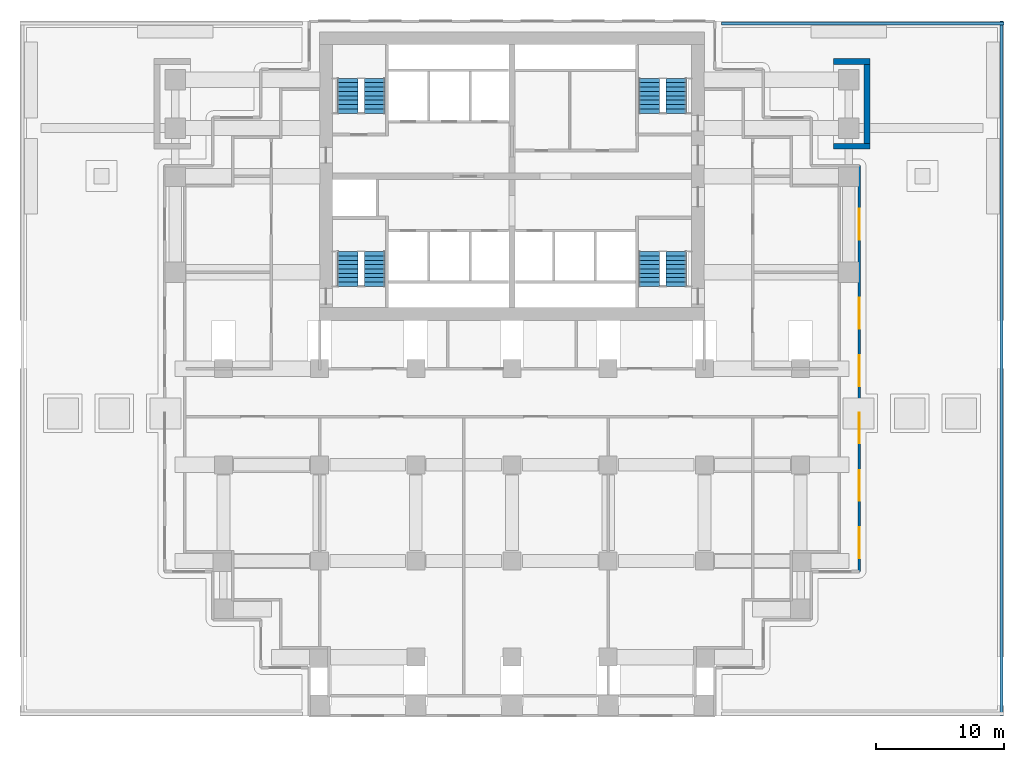
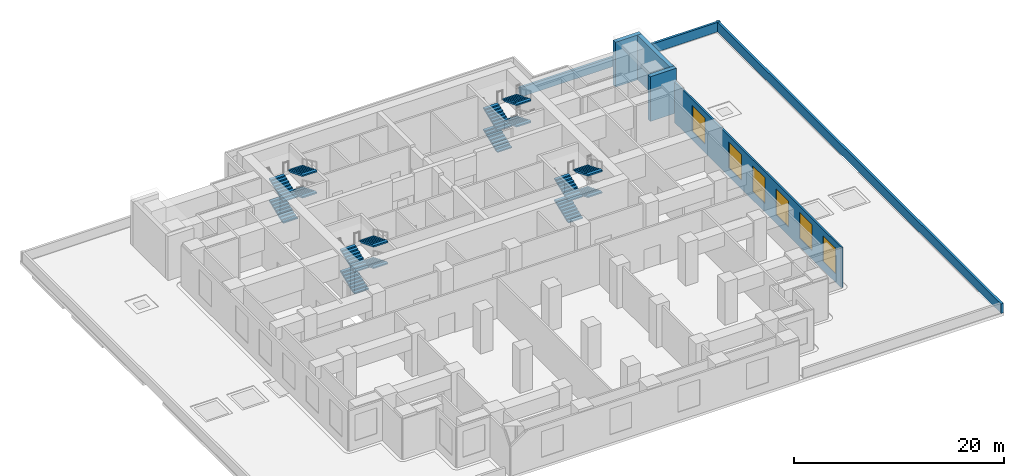
# One storey, part 6 of 9: 16 stair flights, 6 walls, 6 windows, 6 openings, 4 elements without a shape of their own.
"""IFC4 building model written with IfcOpenShell, lengths in metres."""

import ifcopenshell
import ifcopenshell.guid

model = None  # the IFC model being written
_history = None  # IfcOwnerHistory: only IFC2X3 demands one
_inside = {}  # id of a spatial element -> (the spatial element, [elements in it])
_under = {}  # id of a project, library or spatial element -> (it, [spatial elements below it])
_declared = {}  # id of a project -> (the project, [libraries it declares])
_typed = {}  # id of a type object -> (the type object, [elements of that type])
_made_of = {}  # id of a material, layer set ... -> (it, [elements and type objects made of it])


def new_model(schema):
    """Start an empty IFC model of exactly this schema.

    Asked for "IFC4X3", IfcOpenShell would pick the latest addendum, in which some entities
    have other attributes; the version numbers below select the first issue.
    IFC2X3 requires an IfcOwnerHistory on every rooted entity: one is made here for all.
    """
    global model, _history
    if schema == "IFC4X3":
        model = ifcopenshell.file(schema_version=(4, 3, 0, 0))
    else:
        model = ifcopenshell.file(schema=schema)
    _inside.clear()
    _under.clear()
    _declared.clear()
    _typed.clear()
    _made_of.clear()
    _history = None
    if model.schema == "IFC2X3":
        org = make("IfcOrganization", Name="unknown")
        user = make(
            "IfcPersonAndOrganization",
            ThePerson=make("IfcPerson", FamilyName="unknown"),
            TheOrganization=org,
        )
        app = make(
            "IfcApplication",
            ApplicationDeveloper=org,
            Version="unknown",
            ApplicationFullName="unknown",
            ApplicationIdentifier="unknown",
        )
        _history = make(
            "IfcOwnerHistory",
            OwningUser=user,
            OwningApplication=app,
            ChangeAction="ADDED",
            CreationDate=0,
        )
    return model


def make(cls, **values):
    """One entity of the class cls with the attributes given. An attribute that is None is left unset."""
    return model.create_entity(
        cls, **{name: value for name, value in values.items() if value is not None}
    )


def rooted(cls, **values):
    """An entity with a GlobalId (a new one), such as an element, a storey or a relation."""
    return make(cls, GlobalId=ifcopenshell.guid.new(), OwnerHistory=_history, **values)


def si_unit(unit_type, name, prefix=None):
    """IfcSIUnit, for example si_unit("LENGTHUNIT", "METRE", prefix="MILLI")."""
    return make("IfcSIUnit", UnitType=unit_type, Prefix=prefix, Name=name)


def assignment(units):
    """IfcUnitAssignment: the units of a project."""
    return None if units is None else make("IfcUnitAssignment", Units=units)


def point(xyz):
    """IfcCartesianPoint."""
    return None if xyz is None else make("IfcCartesianPoint", Coordinates=xyz)


def direction(xyz):
    """IfcDirection."""
    return None if xyz is None else make("IfcDirection", DirectionRatios=xyz)


def frame(location, z_axis=None, x_axis=None):
    """IfcAxis2Placement3D, a coordinate frame: its origin and axes. An axis left out is left unset."""
    return make(
        "IfcAxis2Placement3D",
        Location=point(location),
        Axis=direction(z_axis),
        RefDirection=direction(x_axis),
    )


def frame_2d(location, x_axis=None):
    """IfcAxis2Placement2D, a coordinate frame in the plane: its origin and x axis."""
    return make(
        "IfcAxis2Placement2D", Location=point(location), RefDirection=direction(x_axis)
    )


def origin():
    """The frame at (0, 0, 0) with its axes left unset."""
    return frame((0.0, 0.0, 0.0))


def place(relative_to, where):
    """IfcLocalPlacement: puts the frame where relative to a parent placement (None: the world)."""
    return make(
        "IfcLocalPlacement", PlacementRelTo=relative_to, RelativePlacement=where
    )


def context(
    kind, dimensions, precision=None, world=None, true_north=None, identifier=None
):
    """IfcGeometricRepresentationContext, for example the 3D "Model" context."""
    return make(
        "IfcGeometricRepresentationContext",
        ContextIdentifier=identifier,
        ContextType=kind,
        CoordinateSpaceDimension=dimensions,
        Precision=precision,
        WorldCoordinateSystem=world,
        TrueNorth=true_north,
    )


def subcontext(parent, identifier, kind, view, scale=None):
    """IfcGeometricRepresentationSubContext, for example "Body" below "Model"."""
    return make(
        "IfcGeometricRepresentationSubContext",
        ContextIdentifier=identifier,
        ContextType=kind,
        ParentContext=parent,
        TargetScale=scale,
        TargetView=view,
    )


def project(units=None, contexts=None):
    """IfcProject with its units and contexts."""
    return rooted(
        "IfcProject",
        Name="project",
        RepresentationContexts=contexts,
        UnitsInContext=assignment(units),
    )


def spatial(cls, under=None, at=None, **own):
    """A site, building, storey or space (cls), placed at a placement, below another one or the project."""
    s = rooted(cls, ObjectPlacement=at, **own)
    if under is not None:
        _under.setdefault(under.id(), (under, []))[1].append(s)
    return s


def polyline(points):
    """IfcPolyline through the points."""
    return make("IfcPolyline", Points=[point(p) for p in points])


def profile(cls, at=None, kind="AREA", **sizes):
    """A parametric profile (cls). Its sizes go by their IFC names, for example OverallWidth=200.0."""
    return make(cls, ProfileType=kind, Position=at, **sizes)


def rectangle(**sizes):
    """IfcRectangleProfileDef."""
    return profile("IfcRectangleProfileDef", **sizes)


def outline(outer, holes=None, kind="AREA"):
    """IfcArbitraryClosedProfileDef: a profile drawn as a closed curve; with holes, ...WithVoids."""
    if holes is None:
        return make("IfcArbitraryClosedProfileDef", ProfileType=kind, OuterCurve=outer)
    return make(
        "IfcArbitraryProfileDefWithVoids",
        ProfileType=kind,
        OuterCurve=outer,
        InnerCurves=holes,
    )


def extrude(swept, where, along, depth):
    """IfcExtrudedAreaSolid: the profile swept, set in the frame where, extruded along a direction by depth."""
    return make(
        "IfcExtrudedAreaSolid",
        SweptArea=swept,
        Position=where,
        ExtrudedDirection=direction(along),
        Depth=depth,
    )


def shape(context_of_items, identifier, shape_type, items):
    """IfcShapeRepresentation: the items that make up one representation, for example the "Body"."""
    return make(
        "IfcShapeRepresentation",
        ContextOfItems=context_of_items,
        RepresentationIdentifier=identifier,
        RepresentationType=shape_type,
        Items=items,
    )


def material(Name=None, Category=None):
    """IfcMaterial."""
    return make("IfcMaterial", Name=Name, Category=Category)


def layer(
    of_material, thickness, ventilated=None, Name=None, Category=None, Priority=None
):
    """IfcMaterialLayer: one layer of a wall or slab, of a material (None: an air gap)."""
    return make(
        "IfcMaterialLayer",
        Material=of_material,
        LayerThickness=thickness,
        IsVentilated=ventilated,
        Name=Name,
        Category=Category,
        Priority=Priority,
    )


def layer_set(layers, Name=None):
    """IfcMaterialLayerSet."""
    return make("IfcMaterialLayerSet", MaterialLayers=layers, LayerSetName=Name)


def made_of(thing, what):
    """Note that an element or type object is made of a material, layer set ...; save() writes the relation."""
    if what is not None:
        _made_of.setdefault(what.id(), (what, []))[1].append(thing)
    return thing


def type_object(cls, material=None, **own):
    """A type object (cls), such as IfcWallType, which elements share."""
    return made_of(rooted(cls, **own), material)


def element(
    cls,
    number,
    at=None,
    inside=None,
    cuts=None,
    type_object=None,
    material=None,
    context=None,
    identifier="Body",
    shape_type=None,
    held_by="IfcProductDefinitionShape",
    body=None,
    shapes=None,
    **own,
):
    """One element of the class cls, such as IfcWall. Its Tag is "e" and its number.

    at: its placement. inside: the storey or other place that contains it. cuts: it is an
    opening in that element (IfcRelVoidsElement). A single representation is given by context,
    identifier, shape_type and body (its items); several are given by shapes. held_by: the class
    of the entity that holds the representations. save() writes the other relations.
    """
    e = rooted(cls, Tag="e%d" % number, ObjectPlacement=at, **own)
    if body is not None:
        shapes = [shape(context, identifier, shape_type, body)]
    if shapes is not None:
        e.Representation = make(held_by, Representations=shapes)
    if inside is not None:
        _inside.setdefault(inside.id(), (inside, []))[1].append(e)
    if cuts is not None:
        rooted(
            "IfcRelVoidsElement", RelatingBuildingElement=cuts, RelatedOpeningElement=e
        )
    if type_object is not None:
        _typed.setdefault(type_object.id(), (type_object, []))[1].append(e)
    return made_of(e, material)


def fill(opening, filler):
    """IfcRelFillsElement: the door or window that sits in an opening."""
    return rooted(
        "IfcRelFillsElement",
        RelatingOpeningElement=opening,
        RelatedBuildingElement=filler,
    )


def aggregate(whole, parts):
    """IfcRelAggregates: a whole, such as a stair, and the parts it consists of."""
    return rooted("IfcRelAggregates", RelatingObject=whole, RelatedObjects=parts)


def save(model, path):
    """Write the relations noted so far, then the file.

    IfcRelAggregates (storeys below a building ...), IfcRelContainedInSpatialStructure (elements
    in a storey), IfcRelDefinesByType, IfcRelAssociatesMaterial and IfcRelDeclares: one each for
    every whole, place, type object, material and project.
    """
    for whole, parts in _under.values():
        aggregate(whole, parts)
    for where, things in _inside.values():
        rooted(
            "IfcRelContainedInSpatialStructure",
            RelatedElements=things,
            RelatingStructure=where,
        )
    for kind, things in _typed.values():
        rooted("IfcRelDefinesByType", RelatedObjects=things, RelatingType=kind)
    for what, things in _made_of.values():
        rooted("IfcRelAssociatesMaterial", RelatedObjects=things, RelatingMaterial=what)
    for by, libraries in _declared.values():
        rooted("IfcRelDeclares", RelatingContext=by, RelatedDefinitions=libraries)
    model.write(path)


model = new_model("IFC4")

# Units and contexts
model_context = context("Model", 3, precision=1e-05, world=origin(), true_north=direction((0.0, 1.0)))
body_context = subcontext(model_context, "Body", "Model", "MODEL_VIEW")
ifc_project = project(units=[si_unit("LENGTHUNIT", "METRE"), si_unit("AREAUNIT", "SQUARE_METRE"), si_unit("VOLUMEUNIT", "CUBIC_METRE"), si_unit("PLANEANGLEUNIT", "RADIAN"), si_unit("MASSUNIT", "GRAM", prefix="KILO")], contexts=[model_context])

# Site, building, storey
site_placement = place(None, origin())
site = spatial("IfcSite", under=ifc_project, at=site_placement, CompositionType="ELEMENT")
building_placement = place(site_placement, origin())
building = spatial("IfcBuilding", under=site, at=building_placement, Name="Pilkhan Gate Tower", CompositionType="ELEMENT")
storey_placement = place(building_placement, frame((0.0, 0.0, 30.0)))
storey = spatial("IfcBuildingStorey", under=building, at=storey_placement, Name="L04", CompositionType="ELEMENT", Elevation=30.0)

# Walls
ifc_material_1 = material(Name="Concrete C40/50", Category="concrete")
ifc_layer_1 = layer(ifc_material_1, 0.25)
ifc_layer_set_1 = layer_set([ifc_layer_1], Name="Parapet wall PA250")
wall_type_1 = type_object("IfcWallType", Name="Parapet wall PA250", PredefinedType="USERDEFINED", material=ifc_layer_set_1)
wall_1_placement = place(storey_placement, frame((91.341064453125, 94.39990234375, 0.0), z_axis=(0.0, 0.0, 1.0), x_axis=(1.0, 0.0, 0.0)))
element("IfcWall", 1, at=wall_1_placement, inside=storey, type_object=wall_type_1, Name="Podium roof parapet", ObjectType="PARAPET WALL", PredefinedType="USERDEFINED", context=body_context, shape_type="SweptSolid", body=[
    extrude(rectangle(XDim=22.009033203125, YDim=0.25, at=frame_2d((11.00439453125, 0.0))), origin(), (0.0, 0.0, 1.0), 1.10009765625),
])
wall_2_placement = place(storey_placement, frame((113.14990234375, 94.60009765625, 0.0), z_axis=(0.0, 0.0, 1.0), x_axis=(0.0, -1.0, 0.0)))
element("IfcWall", 2, at=wall_2_placement, inside=storey, type_object=wall_type_1, Name="Podium roof parapet", ObjectType="PARAPET WALL", PredefinedType="USERDEFINED", context=body_context, shape_type="SweptSolid", body=[
    extrude(rectangle(XDim=54.2001953125, YDim=0.25, at=frame_2d((27.10009765625, 0.0))), origin(), (0.0, 0.0, 1.0), 1.10009765625),
])

# Wall, openings, windows
ifc_material_2 = material(Name="Pale anodised aluminium cladding", Category="aluminium")
ifc_layer_2 = layer(ifc_material_2, 0.199951171875)
ifc_layer_set_2 = layer_set([ifc_layer_2], Name="Plant screen wall PS200")
wall_type_2 = type_object("IfcWallType", Name="Plant screen wall PS200", PredefinedType="SOLIDWALL", material=ifc_layer_set_2)
wall_3_placement = place(storey_placement, frame((102.070068359375, 51.679931640625, 0.0), z_axis=(0.0, 0.0, 1.0), x_axis=(0.0, 1.0, 0.0)))
wall_3 = element("IfcWall", 3, at=wall_3_placement, inside=storey, type_object=wall_type_2, Name="Plant screen wall L04 E", PredefinedType="SOLIDWALL", context=body_context, shape_type="SweptSolid", body=[
    extrude(rectangle(XDim=31.64013671875, YDim=0.199951171875, at=frame_2d((15.820068359375, 0.0))), origin(), (0.0, 0.0, 1.0), 4.699951171875),
])
opening_1_placement = place(wall_3_placement, frame((1.037109375, 0.0, 1.0)))
opening_1 = element("IfcOpeningElement", 4, at=opening_1_placement, cuts=wall_3, Name="Opening WL1", PredefinedType="OPENING", context=body_context, shape_type="SweptSolid", body=[
    extrude(rectangle(XDim=2.39990234375, YDim=3.0, at=frame_2d((1.199951171875, 1.5))), frame((0.0, 0.10986328125, 0.0), z_axis=(0.0, -1.0, 0.0), x_axis=(1.0, 0.0, 0.0)), (0.0, 0.0, 1.0), 0.219970703125),
])
opening_2_placement = place(wall_3_placement, frame((5.510986328125, 0.0, 1.0)))
opening_2 = element("IfcOpeningElement", 5, at=opening_2_placement, cuts=wall_3, Name="Opening WL1", PredefinedType="OPENING", context=body_context, shape_type="SweptSolid", body=[
    extrude(rectangle(XDim=2.39990234375, YDim=3.0, at=frame_2d((1.199951171875, 1.5))), frame((0.0, 0.10986328125, 0.0), z_axis=(0.0, -1.0, 0.0), x_axis=(1.0, 0.0, 0.0)), (0.0, 0.0, 1.0), 0.219970703125),
])
opening_3_placement = place(wall_3_placement, frame((9.985107421875, 0.0, 1.0)))
opening_3 = element("IfcOpeningElement", 6, at=opening_3_placement, cuts=wall_3, Name="Opening WL1", PredefinedType="OPENING", context=body_context, shape_type="SweptSolid", body=[
    extrude(rectangle(XDim=2.39990234375, YDim=3.0, at=frame_2d((1.199951171875, 1.5))), frame((0.0, 0.10986328125, 0.0), z_axis=(0.0, -1.0, 0.0), x_axis=(1.0, 0.0, 0.0)), (0.0, 0.0, 1.0), 0.219970703125),
])
opening_4_placement = place(wall_3_placement, frame((14.458984375, 0.0, 1.0)))
opening_4 = element("IfcOpeningElement", 7, at=opening_4_placement, cuts=wall_3, Name="Opening WL1", PredefinedType="OPENING", context=body_context, shape_type="SweptSolid", body=[
    extrude(rectangle(XDim=2.39990234375, YDim=3.0, at=frame_2d((1.199951171875, 1.5))), frame((0.0, 0.10986328125, 0.0), z_axis=(0.0, -1.0, 0.0), x_axis=(1.0, 0.0, 0.0)), (0.0, 0.0, 1.0), 0.219970703125),
])
opening_5_placement = place(wall_3_placement, frame((18.93310546875, 0.0, 1.0)))
opening_5 = element("IfcOpeningElement", 8, at=opening_5_placement, cuts=wall_3, Name="Opening WL1", PredefinedType="OPENING", context=body_context, shape_type="SweptSolid", body=[
    extrude(rectangle(XDim=2.39990234375, YDim=3.0, at=frame_2d((1.199951171875, 1.5))), frame((0.0, 0.10986328125, 0.0), z_axis=(0.0, -1.0, 0.0), x_axis=(1.0, 0.0, 0.0)), (0.0, 0.0, 1.0), 0.219970703125),
])
opening_6_placement = place(wall_3_placement, frame((25.8701171875, 0.0, 1.0)))
opening_6 = element("IfcOpeningElement", 9, at=opening_6_placement, cuts=wall_3, Name="Opening WL1", PredefinedType="OPENING", context=body_context, shape_type="SweptSolid", body=[
    extrude(rectangle(XDim=2.39990234375, YDim=3.0, at=frame_2d((1.199951171875, 1.5))), frame((0.0, 0.10986328125, 0.0), z_axis=(0.0, -1.0, 0.0), x_axis=(1.0, 0.0, 0.0)), (0.0, 0.0, 1.0), 0.219970703125),
])
ifc_material_3 = material(Name="Pale anodised aluminium storm louvre, bird mesh", Category="aluminium")
window_type = type_object("IfcWindowType", Name="Plant louvre WL1 2400x3000", PartitioningType="SINGLE_PANEL", PredefinedType="USERDEFINED", material=ifc_material_3)
window_1_placement = place(opening_1_placement, origin())
window_1 = element("IfcWindow", 10, at=window_1_placement, inside=storey, type_object=window_type, Name="Louvre L04", ObjectType="LOUVRE", OverallHeight=3.0, OverallWidth=2.39990234375, PartitioningType="SINGLE_PANEL", PredefinedType="USERDEFINED", context=body_context, shape_type="SweptSolid", body=[
    extrude(rectangle(XDim=2.39990234375, YDim=3.0, at=frame_2d((1.199951171875, 1.5))), frame((0.0, 0.030029296875, 0.0), z_axis=(0.0, -1.0, 0.0), x_axis=(1.0, 0.0, 0.0)), (0.0, 0.0, 1.0), 0.06005859375),
])
fill(opening_1, window_1)
window_2_placement = place(opening_2_placement, origin())
window_2 = element("IfcWindow", 11, at=window_2_placement, inside=storey, type_object=window_type, Name="Louvre L04", ObjectType="LOUVRE", OverallHeight=3.0, OverallWidth=2.39990234375, PartitioningType="SINGLE_PANEL", PredefinedType="USERDEFINED", context=body_context, shape_type="SweptSolid", body=[
    extrude(rectangle(XDim=2.39990234375, YDim=3.0, at=frame_2d((1.199951171875, 1.5))), frame((0.0, 0.030029296875, 0.0), z_axis=(0.0, -1.0, 0.0), x_axis=(1.0, 0.0, 0.0)), (0.0, 0.0, 1.0), 0.06005859375),
])
fill(opening_2, window_2)
window_3_placement = place(opening_3_placement, origin())
window_3 = element("IfcWindow", 12, at=window_3_placement, inside=storey, type_object=window_type, Name="Louvre L04", ObjectType="LOUVRE", OverallHeight=3.0, OverallWidth=2.39990234375, PartitioningType="SINGLE_PANEL", PredefinedType="USERDEFINED", context=body_context, shape_type="SweptSolid", body=[
    extrude(rectangle(XDim=2.39990234375, YDim=3.0, at=frame_2d((1.199951171875, 1.5))), frame((0.0, 0.030029296875, 0.0), z_axis=(0.0, -1.0, 0.0), x_axis=(1.0, 0.0, 0.0)), (0.0, 0.0, 1.0), 0.06005859375),
])
fill(opening_3, window_3)
window_4_placement = place(opening_4_placement, origin())
window_4 = element("IfcWindow", 13, at=window_4_placement, inside=storey, type_object=window_type, Name="Louvre L04", ObjectType="LOUVRE", OverallHeight=3.0, OverallWidth=2.39990234375, PartitioningType="SINGLE_PANEL", PredefinedType="USERDEFINED", context=body_context, shape_type="SweptSolid", body=[
    extrude(rectangle(XDim=2.39990234375, YDim=3.0, at=frame_2d((1.199951171875, 1.5))), frame((0.0, 0.030029296875, 0.0), z_axis=(0.0, -1.0, 0.0), x_axis=(1.0, 0.0, 0.0)), (0.0, 0.0, 1.0), 0.06005859375),
])
fill(opening_4, window_4)
window_5_placement = place(opening_5_placement, origin())
window_5 = element("IfcWindow", 14, at=window_5_placement, inside=storey, type_object=window_type, Name="Louvre L04", ObjectType="LOUVRE", OverallHeight=3.0, OverallWidth=2.39990234375, PartitioningType="SINGLE_PANEL", PredefinedType="USERDEFINED", context=body_context, shape_type="SweptSolid", body=[
    extrude(rectangle(XDim=2.39990234375, YDim=3.0, at=frame_2d((1.199951171875, 1.5))), frame((0.0, 0.030029296875, 0.0), z_axis=(0.0, -1.0, 0.0), x_axis=(1.0, 0.0, 0.0)), (0.0, 0.0, 1.0), 0.06005859375),
])
fill(opening_5, window_5)
window_6_placement = place(opening_6_placement, origin())
window_6 = element("IfcWindow", 15, at=window_6_placement, inside=storey, type_object=window_type, Name="Louvre L04", ObjectType="LOUVRE", OverallHeight=3.0, OverallWidth=2.39990234375, PartitioningType="SINGLE_PANEL", PredefinedType="USERDEFINED", context=body_context, shape_type="SweptSolid", body=[
    extrude(rectangle(XDim=2.39990234375, YDim=3.0, at=frame_2d((1.199951171875, 1.5))), frame((0.0, 0.030029296875, 0.0), z_axis=(0.0, -1.0, 0.0), x_axis=(1.0, 0.0, 0.0)), (0.0, 0.0, 1.0), 0.06005859375),
])
fill(opening_6, window_6)

# Walls
ifc_material_4 = material(Name="Board-marked Concrete C40/50", Category="concrete")
ifc_layer_3 = layer(ifc_material_4, 0.449951171875)
ifc_layer_set_3 = layer_set([ifc_layer_3], Name="Roof edge screen wall SW450")
wall_type_3 = type_object("IfcWallType", Name="Roof edge screen wall SW450", PredefinedType="USERDEFINED", material=ifc_layer_set_3)
for number, where, z_axis, x_axis, name in (
    (16, (100.050048828125, 84.824951171875, 0.0), (0.0, 0.0, 1.0), (1.0, 0.0, 0.0), "Roof pylon wall east wing"),
    (17, (100.050048828125, 91.425048828125, 0.0), (0.0, 0.0, 1.0), (1.0, 0.0, 0.0), "Roof pylon wall east wing"),
):
    element("IfcWall", number, at=place(storey_placement, frame(where, z_axis=z_axis, x_axis=x_axis)), inside=storey, type_object=wall_type_3, Name=name, ObjectType="ROOF SCREEN WALL", PredefinedType="USERDEFINED", context=body_context, shape_type="SweptSolid", body=[
        extrude(rectangle(XDim=2.849853515625, YDim=0.449951171875, at=frame_2d((1.4248046875, 0.0))), origin(), (0.0, 0.0, 1.0), 5.199951171875),
    ])
wall_4_placement = place(storey_placement, frame((102.675048828125, 85.050048828125, 0.0), z_axis=(0.0, 0.0, 1.0), x_axis=(0.0, 1.0, 0.0)))
element("IfcWall", 18, at=wall_4_placement, inside=storey, type_object=wall_type_3, Name="Roof pylon wall east wing", ObjectType="ROOF SCREEN WALL", PredefinedType="USERDEFINED", context=body_context, shape_type="SweptSolid", body=[
    extrude(rectangle(XDim=6.14990234375, YDim=0.449951171875, at=frame_2d((3.074951171875, 0.0))), origin(), (0.0, 0.0, 1.0), 5.199951171875),
])

# Stair, stair flights
ifc_material_5 = material(Name="Concrete C40/50 precast", Category="concrete")
stair_type_1 = type_object("IfcStairType", Name="Stair ST1 139x340", PredefinedType="HALF_TURN_STAIR", material=ifc_material_5)
stair_1_placement = place(storey_placement, origin())
stair_1 = element("IfcStair", 19, at=stair_1_placement, inside=storey, type_object=stair_type_1, Name="Stair ST1 L04", PredefinedType="HALF_TURN_STAIR")
stair_flight_type_1 = type_object("IfcStairFlightType", Name="Stair flight ST1 139x340x9", PredefinedType="STRAIGHT", material=ifc_material_5)
stair_flight_1_placement = place(storey_placement, frame((85.68994140625, 73.89990234375, 0.0), z_axis=(0.0, 0.0, 1.0), x_axis=(0.0, 1.0, 0.0)))
stair_flight_1 = element("IfcStairFlight", 20, at=stair_flight_1_placement, type_object=stair_flight_type_1, Name="ST1 flight 1", NumberOfRisers=9, NumberOfTreads=8, PredefinedType="STRAIGHT", RiserHeight=0.138888889, TreadLength=0.34, context=body_context, shape_type="SweptSolid", body=[
    extrude(outline(polyline([(0.0, 0.0), (0.0, 0.138916015625), (0.340087890625, 0.138916015625), (0.340087890625, 0.27783203125), (0.679931640625, 0.27783203125), (0.679931640625, 0.416748046875), (1.02001953125, 0.416748046875), (1.02001953125, 0.5556640625), (1.360107421875, 0.5556640625), (1.360107421875, 0.6943359375), (1.699951171875, 0.6943359375), (1.699951171875, 0.833251953125), (2.0400390625, 0.833251953125), (2.0400390625, 0.97216796875), (2.3798828125, 0.97216796875), (2.3798828125, 1.111083984375), (2.719970703125, 1.111083984375), (2.719970703125, 1.25), (2.719970703125, 0.94921875), (0.396484375, 0.0), (0.0, 0.0)])), frame((0.0, 0.7900390625, 0.0), z_axis=(0.0, -1.0, 0.0), x_axis=(1.0, 0.0, 0.0)), (0.0, 0.0, 1.0), 1.580078125),
])
stair_flight_2_placement = place(storey_placement, frame((87.81005859375, 76.6201171875, 1.25), z_axis=(0.0, 0.0, 1.0), x_axis=(0.0, -1.0, 0.0)))
stair_flight_2 = element("IfcStairFlight", 21, at=stair_flight_2_placement, type_object=stair_flight_type_1, Name="ST1 flight 2", NumberOfRisers=9, NumberOfTreads=8, PredefinedType="STRAIGHT", RiserHeight=0.138888889, TreadLength=0.34, context=body_context, shape_type="SweptSolid", body=[
    extrude(outline(polyline([(0.0, 0.0), (0.0, 0.138916015625), (0.340087890625, 0.138916015625), (0.340087890625, 0.27783203125), (0.679931640625, 0.27783203125), (0.679931640625, 0.416748046875), (1.02001953125, 0.416748046875), (1.02001953125, 0.5556640625), (1.360107421875, 0.5556640625), (1.360107421875, 0.6943359375), (1.699951171875, 0.6943359375), (1.699951171875, 0.833251953125), (2.0400390625, 0.833251953125), (2.0400390625, 0.97216796875), (2.3798828125, 0.97216796875), (2.3798828125, 1.111083984375), (2.719970703125, 1.111083984375), (2.719970703125, 1.25), (2.719970703125, 0.94921875), (0.396484375, 0.0), (0.0, 0.0)])), frame((0.0, 0.7900390625, 0.0), z_axis=(0.0, -1.0, 0.0), x_axis=(1.0, 0.0, 0.0)), (0.0, 0.0, 1.0), 1.580078125),
])
stair_flight_3_placement = place(storey_placement, frame((85.68994140625, 73.89990234375, 2.5), z_axis=(0.0, 0.0, 1.0), x_axis=(0.0, 1.0, 0.0)))
stair_flight_3 = element("IfcStairFlight", 22, at=stair_flight_3_placement, type_object=stair_flight_type_1, Name="ST1 flight 3", NumberOfRisers=9, NumberOfTreads=8, PredefinedType="STRAIGHT", RiserHeight=0.138888889, TreadLength=0.34, context=body_context, shape_type="SweptSolid", body=[
    extrude(outline(polyline([(0.0, 0.0), (0.0, 0.138916015625), (0.340087890625, 0.138916015625), (0.340087890625, 0.27783203125), (0.679931640625, 0.27783203125), (0.679931640625, 0.416748046875), (1.02001953125, 0.416748046875), (1.02001953125, 0.5556640625), (1.360107421875, 0.5556640625), (1.360107421875, 0.6943359375), (1.699951171875, 0.6943359375), (1.699951171875, 0.833251953125), (2.0400390625, 0.833251953125), (2.0400390625, 0.97216796875), (2.3798828125, 0.97216796875), (2.3798828125, 1.111083984375), (2.719970703125, 1.111083984375), (2.719970703125, 1.25), (2.719970703125, 0.94921875), (0.396484375, 0.0), (0.0, 0.0)])), frame((0.0, 0.7900390625, 0.0), z_axis=(0.0, -1.0, 0.0), x_axis=(1.0, 0.0, 0.0)), (0.0, 0.0, 1.0), 1.580078125),
])
stair_flight_4_placement = place(storey_placement, frame((87.81005859375, 76.6201171875, 3.75), z_axis=(0.0, 0.0, 1.0), x_axis=(0.0, -1.0, 0.0)))
stair_flight_4 = element("IfcStairFlight", 23, at=stair_flight_4_placement, type_object=stair_flight_type_1, Name="ST1 flight 4", NumberOfRisers=9, NumberOfTreads=8, PredefinedType="STRAIGHT", RiserHeight=0.138888889, TreadLength=0.34, context=body_context, shape_type="SweptSolid", body=[
    extrude(outline(polyline([(0.0, 0.0), (0.0, 0.138916015625), (0.340087890625, 0.138916015625), (0.340087890625, 0.27783203125), (0.679931640625, 0.27783203125), (0.679931640625, 0.416748046875), (1.02001953125, 0.416748046875), (1.02001953125, 0.5556640625), (1.360107421875, 0.5556640625), (1.360107421875, 0.6943359375), (1.699951171875, 0.6943359375), (1.699951171875, 0.833251953125), (2.0400390625, 0.833251953125), (2.0400390625, 0.97216796875), (2.3798828125, 0.97216796875), (2.3798828125, 1.111083984375), (2.719970703125, 1.111083984375), (2.719970703125, 1.25), (2.719970703125, 0.94921875), (0.396484375, 0.0), (0.0, 0.0)])), frame((0.0, 0.7900390625, 0.0), z_axis=(0.0, -1.0, 0.0), x_axis=(1.0, 0.0, 0.0)), (0.0, 0.0, 1.0), 1.580078125),
])
aggregate(stair_1, [stair_flight_1, stair_flight_2, stair_flight_3, stair_flight_4])

stair_type_2 = type_object("IfcStairType", Name="Stair ST2 139x340", PredefinedType="HALF_TURN_STAIR", material=ifc_material_5)
stair_2_placement = place(storey_placement, origin())
stair_2 = element("IfcStair", 24, at=stair_2_placement, inside=storey, type_object=stair_type_2, Name="Stair ST2 L04", PredefinedType="HALF_TURN_STAIR")
stair_flight_type_2 = type_object("IfcStairFlightType", Name="Stair flight ST2 139x340x9", PredefinedType="STRAIGHT", material=ifc_material_5)
stair_flight_5_placement = place(storey_placement, frame((62.18994140625, 73.89990234375, 0.0), z_axis=(0.0, 0.0, 1.0), x_axis=(0.0, 1.0, 0.0)))
stair_flight_5 = element("IfcStairFlight", 25, at=stair_flight_5_placement, type_object=stair_flight_type_2, Name="ST2 flight 1", NumberOfRisers=9, NumberOfTreads=8, PredefinedType="STRAIGHT", RiserHeight=0.138888889, TreadLength=0.34, context=body_context, shape_type="SweptSolid", body=[
    extrude(outline(polyline([(0.0, 0.0), (0.0, 0.138916015625), (0.340087890625, 0.138916015625), (0.340087890625, 0.27783203125), (0.679931640625, 0.27783203125), (0.679931640625, 0.416748046875), (1.02001953125, 0.416748046875), (1.02001953125, 0.5556640625), (1.360107421875, 0.5556640625), (1.360107421875, 0.6943359375), (1.699951171875, 0.6943359375), (1.699951171875, 0.833251953125), (2.0400390625, 0.833251953125), (2.0400390625, 0.97216796875), (2.3798828125, 0.97216796875), (2.3798828125, 1.111083984375), (2.719970703125, 1.111083984375), (2.719970703125, 1.25), (2.719970703125, 0.94921875), (0.396484375, 0.0), (0.0, 0.0)])), frame((0.0, 0.7900390625, 0.0), z_axis=(0.0, -1.0, 0.0), x_axis=(1.0, 0.0, 0.0)), (0.0, 0.0, 1.0), 1.580078125),
])
stair_flight_6_placement = place(storey_placement, frame((64.31005859375, 76.6201171875, 1.25), z_axis=(0.0, 0.0, 1.0), x_axis=(0.0, -1.0, 0.0)))
stair_flight_6 = element("IfcStairFlight", 26, at=stair_flight_6_placement, type_object=stair_flight_type_2, Name="ST2 flight 2", NumberOfRisers=9, NumberOfTreads=8, PredefinedType="STRAIGHT", RiserHeight=0.138888889, TreadLength=0.34, context=body_context, shape_type="SweptSolid", body=[
    extrude(outline(polyline([(0.0, 0.0), (0.0, 0.138916015625), (0.340087890625, 0.138916015625), (0.340087890625, 0.27783203125), (0.679931640625, 0.27783203125), (0.679931640625, 0.416748046875), (1.02001953125, 0.416748046875), (1.02001953125, 0.5556640625), (1.360107421875, 0.5556640625), (1.360107421875, 0.6943359375), (1.699951171875, 0.6943359375), (1.699951171875, 0.833251953125), (2.0400390625, 0.833251953125), (2.0400390625, 0.97216796875), (2.3798828125, 0.97216796875), (2.3798828125, 1.111083984375), (2.719970703125, 1.111083984375), (2.719970703125, 1.25), (2.719970703125, 0.94921875), (0.396484375, 0.0), (0.0, 0.0)])), frame((0.0, 0.7900390625, 0.0), z_axis=(0.0, -1.0, 0.0), x_axis=(1.0, 0.0, 0.0)), (0.0, 0.0, 1.0), 1.580078125),
])
stair_flight_7_placement = place(storey_placement, frame((62.18994140625, 73.89990234375, 2.5), z_axis=(0.0, 0.0, 1.0), x_axis=(0.0, 1.0, 0.0)))
stair_flight_7 = element("IfcStairFlight", 27, at=stair_flight_7_placement, type_object=stair_flight_type_2, Name="ST2 flight 3", NumberOfRisers=9, NumberOfTreads=8, PredefinedType="STRAIGHT", RiserHeight=0.138888889, TreadLength=0.34, context=body_context, shape_type="SweptSolid", body=[
    extrude(outline(polyline([(0.0, 0.0), (0.0, 0.138916015625), (0.340087890625, 0.138916015625), (0.340087890625, 0.27783203125), (0.679931640625, 0.27783203125), (0.679931640625, 0.416748046875), (1.02001953125, 0.416748046875), (1.02001953125, 0.5556640625), (1.360107421875, 0.5556640625), (1.360107421875, 0.6943359375), (1.699951171875, 0.6943359375), (1.699951171875, 0.833251953125), (2.0400390625, 0.833251953125), (2.0400390625, 0.97216796875), (2.3798828125, 0.97216796875), (2.3798828125, 1.111083984375), (2.719970703125, 1.111083984375), (2.719970703125, 1.25), (2.719970703125, 0.94921875), (0.396484375, 0.0), (0.0, 0.0)])), frame((0.0, 0.7900390625, 0.0), z_axis=(0.0, -1.0, 0.0), x_axis=(1.0, 0.0, 0.0)), (0.0, 0.0, 1.0), 1.580078125),
])
stair_flight_8_placement = place(storey_placement, frame((64.31005859375, 76.6201171875, 3.75), z_axis=(0.0, 0.0, 1.0), x_axis=(0.0, -1.0, 0.0)))
stair_flight_8 = element("IfcStairFlight", 28, at=stair_flight_8_placement, type_object=stair_flight_type_2, Name="ST2 flight 4", NumberOfRisers=9, NumberOfTreads=8, PredefinedType="STRAIGHT", RiserHeight=0.138888889, TreadLength=0.34, context=body_context, shape_type="SweptSolid", body=[
    extrude(outline(polyline([(0.0, 0.0), (0.0, 0.138916015625), (0.340087890625, 0.138916015625), (0.340087890625, 0.27783203125), (0.679931640625, 0.27783203125), (0.679931640625, 0.416748046875), (1.02001953125, 0.416748046875), (1.02001953125, 0.5556640625), (1.360107421875, 0.5556640625), (1.360107421875, 0.6943359375), (1.699951171875, 0.6943359375), (1.699951171875, 0.833251953125), (2.0400390625, 0.833251953125), (2.0400390625, 0.97216796875), (2.3798828125, 0.97216796875), (2.3798828125, 1.111083984375), (2.719970703125, 1.111083984375), (2.719970703125, 1.25), (2.719970703125, 0.94921875), (0.396484375, 0.0), (0.0, 0.0)])), frame((0.0, 0.7900390625, 0.0), z_axis=(0.0, -1.0, 0.0), x_axis=(1.0, 0.0, 0.0)), (0.0, 0.0, 1.0), 1.580078125),
])
aggregate(stair_2, [stair_flight_5, stair_flight_6, stair_flight_7, stair_flight_8])

stair_type_3 = type_object("IfcStairType", Name="Stair ST3 139x340", PredefinedType="HALF_TURN_STAIR", material=ifc_material_5)
stair_3_placement = place(storey_placement, origin())
stair_3 = element("IfcStair", 29, at=stair_3_placement, inside=storey, type_object=stair_type_3, Name="Stair ST3 L04", PredefinedType="HALF_TURN_STAIR")
stair_flight_type_3 = type_object("IfcStairFlightType", Name="Stair flight ST3 139x340x9", PredefinedType="STRAIGHT", material=ifc_material_5)
stair_flight_9_placement = place(storey_placement, frame((62.18994140625, 87.39990234375, 0.0), z_axis=(0.0, 0.0, 1.0), x_axis=(0.0, 1.0, 0.0)))
stair_flight_9 = element("IfcStairFlight", 30, at=stair_flight_9_placement, type_object=stair_flight_type_3, Name="ST3 flight 1", NumberOfRisers=9, NumberOfTreads=8, PredefinedType="STRAIGHT", RiserHeight=0.138888889, TreadLength=0.34, context=body_context, shape_type="SweptSolid", body=[
    extrude(outline(polyline([(0.0, 0.0), (0.0, 0.138916015625), (0.340087890625, 0.138916015625), (0.340087890625, 0.27783203125), (0.679931640625, 0.27783203125), (0.679931640625, 0.416748046875), (1.02001953125, 0.416748046875), (1.02001953125, 0.5556640625), (1.360107421875, 0.5556640625), (1.360107421875, 0.6943359375), (1.699951171875, 0.6943359375), (1.699951171875, 0.833251953125), (2.0400390625, 0.833251953125), (2.0400390625, 0.97216796875), (2.3798828125, 0.97216796875), (2.3798828125, 1.111083984375), (2.719970703125, 1.111083984375), (2.719970703125, 1.25), (2.719970703125, 0.94921875), (0.396484375, 0.0), (0.0, 0.0)])), frame((0.0, 0.7900390625, 0.0), z_axis=(0.0, -1.0, 0.0), x_axis=(1.0, 0.0, 0.0)), (0.0, 0.0, 1.0), 1.580078125),
])
stair_flight_10_placement = place(storey_placement, frame((64.31005859375, 90.1201171875, 1.25), z_axis=(0.0, 0.0, 1.0), x_axis=(0.0, -1.0, 0.0)))
stair_flight_10 = element("IfcStairFlight", 31, at=stair_flight_10_placement, type_object=stair_flight_type_3, Name="ST3 flight 2", NumberOfRisers=9, NumberOfTreads=8, PredefinedType="STRAIGHT", RiserHeight=0.138888889, TreadLength=0.34, context=body_context, shape_type="SweptSolid", body=[
    extrude(outline(polyline([(0.0, 0.0), (0.0, 0.138916015625), (0.340087890625, 0.138916015625), (0.340087890625, 0.27783203125), (0.679931640625, 0.27783203125), (0.679931640625, 0.416748046875), (1.02001953125, 0.416748046875), (1.02001953125, 0.5556640625), (1.360107421875, 0.5556640625), (1.360107421875, 0.6943359375), (1.699951171875, 0.6943359375), (1.699951171875, 0.833251953125), (2.0400390625, 0.833251953125), (2.0400390625, 0.97216796875), (2.3798828125, 0.97216796875), (2.3798828125, 1.111083984375), (2.719970703125, 1.111083984375), (2.719970703125, 1.25), (2.719970703125, 0.94921875), (0.396484375, 0.0), (0.0, 0.0)])), frame((0.0, 0.7900390625, 0.0), z_axis=(0.0, -1.0, 0.0), x_axis=(1.0, 0.0, 0.0)), (0.0, 0.0, 1.0), 1.580078125),
])
stair_flight_11_placement = place(storey_placement, frame((62.18994140625, 87.39990234375, 2.5), z_axis=(0.0, 0.0, 1.0), x_axis=(0.0, 1.0, 0.0)))
stair_flight_11 = element("IfcStairFlight", 32, at=stair_flight_11_placement, type_object=stair_flight_type_3, Name="ST3 flight 3", NumberOfRisers=9, NumberOfTreads=8, PredefinedType="STRAIGHT", RiserHeight=0.138888889, TreadLength=0.34, context=body_context, shape_type="SweptSolid", body=[
    extrude(outline(polyline([(0.0, 0.0), (0.0, 0.138916015625), (0.340087890625, 0.138916015625), (0.340087890625, 0.27783203125), (0.679931640625, 0.27783203125), (0.679931640625, 0.416748046875), (1.02001953125, 0.416748046875), (1.02001953125, 0.5556640625), (1.360107421875, 0.5556640625), (1.360107421875, 0.6943359375), (1.699951171875, 0.6943359375), (1.699951171875, 0.833251953125), (2.0400390625, 0.833251953125), (2.0400390625, 0.97216796875), (2.3798828125, 0.97216796875), (2.3798828125, 1.111083984375), (2.719970703125, 1.111083984375), (2.719970703125, 1.25), (2.719970703125, 0.94921875), (0.396484375, 0.0), (0.0, 0.0)])), frame((0.0, 0.7900390625, 0.0), z_axis=(0.0, -1.0, 0.0), x_axis=(1.0, 0.0, 0.0)), (0.0, 0.0, 1.0), 1.580078125),
])
stair_flight_12_placement = place(storey_placement, frame((64.31005859375, 90.1201171875, 3.75), z_axis=(0.0, 0.0, 1.0), x_axis=(0.0, -1.0, 0.0)))
stair_flight_12 = element("IfcStairFlight", 33, at=stair_flight_12_placement, type_object=stair_flight_type_3, Name="ST3 flight 4", NumberOfRisers=9, NumberOfTreads=8, PredefinedType="STRAIGHT", RiserHeight=0.138888889, TreadLength=0.34, context=body_context, shape_type="SweptSolid", body=[
    extrude(outline(polyline([(0.0, 0.0), (0.0, 0.138916015625), (0.340087890625, 0.138916015625), (0.340087890625, 0.27783203125), (0.679931640625, 0.27783203125), (0.679931640625, 0.416748046875), (1.02001953125, 0.416748046875), (1.02001953125, 0.5556640625), (1.360107421875, 0.5556640625), (1.360107421875, 0.6943359375), (1.699951171875, 0.6943359375), (1.699951171875, 0.833251953125), (2.0400390625, 0.833251953125), (2.0400390625, 0.97216796875), (2.3798828125, 0.97216796875), (2.3798828125, 1.111083984375), (2.719970703125, 1.111083984375), (2.719970703125, 1.25), (2.719970703125, 0.94921875), (0.396484375, 0.0), (0.0, 0.0)])), frame((0.0, 0.7900390625, 0.0), z_axis=(0.0, -1.0, 0.0), x_axis=(1.0, 0.0, 0.0)), (0.0, 0.0, 1.0), 1.580078125),
])
aggregate(stair_3, [stair_flight_9, stair_flight_10, stair_flight_11, stair_flight_12])

stair_type_4 = type_object("IfcStairType", Name="Stair ST4 139x340", PredefinedType="HALF_TURN_STAIR", material=ifc_material_5)
stair_4_placement = place(storey_placement, origin())
stair_4 = element("IfcStair", 34, at=stair_4_placement, inside=storey, type_object=stair_type_4, Name="Stair ST4 L04", PredefinedType="HALF_TURN_STAIR")
stair_flight_type_4 = type_object("IfcStairFlightType", Name="Stair flight ST4 139x340x9", PredefinedType="STRAIGHT", material=ifc_material_5)
stair_flight_13_placement = place(storey_placement, frame((85.68994140625, 87.39990234375, 0.0), z_axis=(0.0, 0.0, 1.0), x_axis=(0.0, 1.0, 0.0)))
stair_flight_13 = element("IfcStairFlight", 35, at=stair_flight_13_placement, type_object=stair_flight_type_4, Name="ST4 flight 1", NumberOfRisers=9, NumberOfTreads=8, PredefinedType="STRAIGHT", RiserHeight=0.138888889, TreadLength=0.34, context=body_context, shape_type="SweptSolid", body=[
    extrude(outline(polyline([(0.0, 0.0), (0.0, 0.138916015625), (0.340087890625, 0.138916015625), (0.340087890625, 0.27783203125), (0.679931640625, 0.27783203125), (0.679931640625, 0.416748046875), (1.02001953125, 0.416748046875), (1.02001953125, 0.5556640625), (1.360107421875, 0.5556640625), (1.360107421875, 0.6943359375), (1.699951171875, 0.6943359375), (1.699951171875, 0.833251953125), (2.0400390625, 0.833251953125), (2.0400390625, 0.97216796875), (2.3798828125, 0.97216796875), (2.3798828125, 1.111083984375), (2.719970703125, 1.111083984375), (2.719970703125, 1.25), (2.719970703125, 0.94921875), (0.396484375, 0.0), (0.0, 0.0)])), frame((0.0, 0.7900390625, 0.0), z_axis=(0.0, -1.0, 0.0), x_axis=(1.0, 0.0, 0.0)), (0.0, 0.0, 1.0), 1.580078125),
])
stair_flight_14_placement = place(storey_placement, frame((87.81005859375, 90.1201171875, 1.25), z_axis=(0.0, 0.0, 1.0), x_axis=(0.0, -1.0, 0.0)))
stair_flight_14 = element("IfcStairFlight", 36, at=stair_flight_14_placement, type_object=stair_flight_type_4, Name="ST4 flight 2", NumberOfRisers=9, NumberOfTreads=8, PredefinedType="STRAIGHT", RiserHeight=0.138888889, TreadLength=0.34, context=body_context, shape_type="SweptSolid", body=[
    extrude(outline(polyline([(0.0, 0.0), (0.0, 0.138916015625), (0.340087890625, 0.138916015625), (0.340087890625, 0.27783203125), (0.679931640625, 0.27783203125), (0.679931640625, 0.416748046875), (1.02001953125, 0.416748046875), (1.02001953125, 0.5556640625), (1.360107421875, 0.5556640625), (1.360107421875, 0.6943359375), (1.699951171875, 0.6943359375), (1.699951171875, 0.833251953125), (2.0400390625, 0.833251953125), (2.0400390625, 0.97216796875), (2.3798828125, 0.97216796875), (2.3798828125, 1.111083984375), (2.719970703125, 1.111083984375), (2.719970703125, 1.25), (2.719970703125, 0.94921875), (0.396484375, 0.0), (0.0, 0.0)])), frame((0.0, 0.7900390625, 0.0), z_axis=(0.0, -1.0, 0.0), x_axis=(1.0, 0.0, 0.0)), (0.0, 0.0, 1.0), 1.580078125),
])
stair_flight_15_placement = place(storey_placement, frame((85.68994140625, 87.39990234375, 2.5), z_axis=(0.0, 0.0, 1.0), x_axis=(0.0, 1.0, 0.0)))
stair_flight_15 = element("IfcStairFlight", 37, at=stair_flight_15_placement, type_object=stair_flight_type_4, Name="ST4 flight 3", NumberOfRisers=9, NumberOfTreads=8, PredefinedType="STRAIGHT", RiserHeight=0.138888889, TreadLength=0.34, context=body_context, shape_type="SweptSolid", body=[
    extrude(outline(polyline([(0.0, 0.0), (0.0, 0.138916015625), (0.340087890625, 0.138916015625), (0.340087890625, 0.27783203125), (0.679931640625, 0.27783203125), (0.679931640625, 0.416748046875), (1.02001953125, 0.416748046875), (1.02001953125, 0.5556640625), (1.360107421875, 0.5556640625), (1.360107421875, 0.6943359375), (1.699951171875, 0.6943359375), (1.699951171875, 0.833251953125), (2.0400390625, 0.833251953125), (2.0400390625, 0.97216796875), (2.3798828125, 0.97216796875), (2.3798828125, 1.111083984375), (2.719970703125, 1.111083984375), (2.719970703125, 1.25), (2.719970703125, 0.94921875), (0.396484375, 0.0), (0.0, 0.0)])), frame((0.0, 0.7900390625, 0.0), z_axis=(0.0, -1.0, 0.0), x_axis=(1.0, 0.0, 0.0)), (0.0, 0.0, 1.0), 1.580078125),
])
stair_flight_16_placement = place(storey_placement, frame((87.81005859375, 90.1201171875, 3.75), z_axis=(0.0, 0.0, 1.0), x_axis=(0.0, -1.0, 0.0)))
stair_flight_16 = element("IfcStairFlight", 38, at=stair_flight_16_placement, type_object=stair_flight_type_4, Name="ST4 flight 4", NumberOfRisers=9, NumberOfTreads=8, PredefinedType="STRAIGHT", RiserHeight=0.138888889, TreadLength=0.34, context=body_context, shape_type="SweptSolid", body=[
    extrude(outline(polyline([(0.0, 0.0), (0.0, 0.138916015625), (0.340087890625, 0.138916015625), (0.340087890625, 0.27783203125), (0.679931640625, 0.27783203125), (0.679931640625, 0.416748046875), (1.02001953125, 0.416748046875), (1.02001953125, 0.5556640625), (1.360107421875, 0.5556640625), (1.360107421875, 0.6943359375), (1.699951171875, 0.6943359375), (1.699951171875, 0.833251953125), (2.0400390625, 0.833251953125), (2.0400390625, 0.97216796875), (2.3798828125, 0.97216796875), (2.3798828125, 1.111083984375), (2.719970703125, 1.111083984375), (2.719970703125, 1.25), (2.719970703125, 0.94921875), (0.396484375, 0.0), (0.0, 0.0)])), frame((0.0, 0.7900390625, 0.0), z_axis=(0.0, -1.0, 0.0), x_axis=(1.0, 0.0, 0.0)), (0.0, 0.0, 1.0), 1.580078125),
])
aggregate(stair_4, [stair_flight_13, stair_flight_14, stair_flight_15, stair_flight_16])

save(model, "model.ifc")
